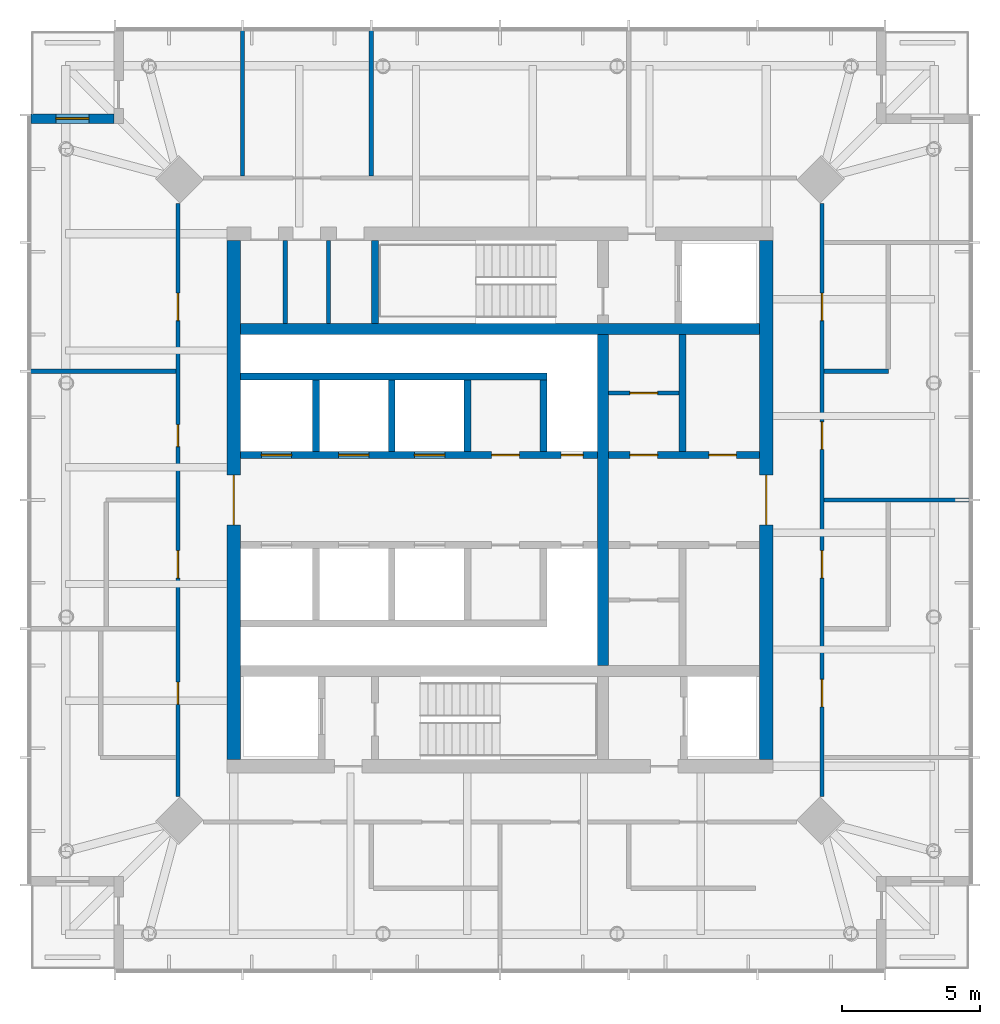
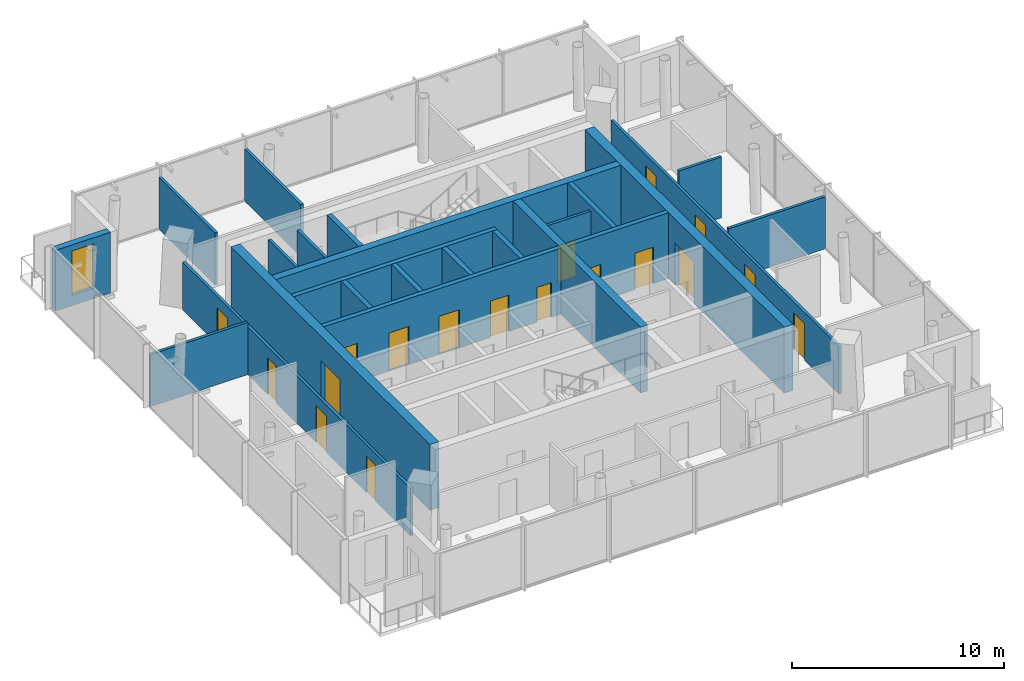
# One storey, part 5 of 7: 24 walls, 18 doors, 1 window, 19 openings.
"""IFC4 building model written with IfcOpenShell, lengths in metres."""

from ifc_helpers import new_model, si_unit, direction, frame, frame_2d, origin, place, context, subcontext, project, spatial, rectangle, extrude, material, layer, layer_set, type_object, element, fill, save


model = new_model("IFC4")

# Units and contexts
model_context = context("Model", 3, precision=1e-05, world=origin(), true_north=direction((0.0, 1.0)))
body_context = subcontext(model_context, "Body", "Model", "MODEL_VIEW")
ifc_project = project(units=[si_unit("LENGTHUNIT", "METRE"), si_unit("AREAUNIT", "SQUARE_METRE"), si_unit("VOLUMEUNIT", "CUBIC_METRE"), si_unit("PLANEANGLEUNIT", "RADIAN"), si_unit("MASSUNIT", "GRAM", prefix="KILO")], contexts=[model_context])

# Site, building, storey
site_placement = place(None, origin())
site = spatial("IfcSite", under=ifc_project, at=site_placement, CompositionType="ELEMENT")
building_placement = place(site_placement, origin())
building = spatial("IfcBuilding", under=site, at=building_placement, Name="Ostroluk Exchange", CompositionType="ELEMENT")
storey_placement = place(building_placement, frame((0.0, 0.0, 279.39990234375)))
storey = spatial("IfcBuildingStorey", under=building, at=storey_placement, Name="L72", CompositionType="ELEMENT", Elevation=279.39990234375)

# Walls
ifc_material_1 = material(Name="Concrete blockwork", Category="masonry")
ifc_layer_1 = layer(ifc_material_1, 0.14990234375)
ifc_layer_set_1 = layer_set([ifc_layer_1], Name="Blockwork plant room wall 150")
wall_type_1 = type_object("IfcWallType", Name="Blockwork plant room wall 150", PredefinedType="SOLIDWALL", material=ifc_layer_set_1)
for number, where, z_axis, x_axis, name in (
    (1, (37.215087890625, 52.39990234375, 0.0), (0.0, 0.0, 1.0), (0.0, 1.0, 0.0), "Core room wall"),
    (2, (38.782470703125, 52.39990234375, 0.0), (0.0, 0.0, 1.0), (0.0, 1.0, 0.0), "Core room wall"),
):
    element("IfcWall", number, at=place(storey_placement, frame(where, z_axis=z_axis, x_axis=x_axis)), inside=storey, type_object=wall_type_1, Name=name, PredefinedType="SOLIDWALL", context=body_context, shape_type="SweptSolid", body=[
        extrude(rectangle(XDim=3.0, YDim=0.14990234375, at=frame_2d((1.5, 0.0))), origin(), (0.0, 0.0, 1.0), 3.5),
    ])

# Wall, opening, door
wall_1_placement = place(storey_placement, frame((48.929931640625, 49.875, 0.0), z_axis=(0.0, 0.0, 1.0), x_axis=(1.0, 0.0, 0.0)))
wall_1 = element("IfcWall", 3, at=wall_1_placement, inside=storey, type_object=wall_type_1, Name="Core room wall", PredefinedType="SOLIDWALL", context=body_context, shape_type="SweptSolid", body=[
    extrude(rectangle(XDim=2.56005859375, YDim=0.14990234375, at=frame_2d((1.280029296875, 0.0))), origin(), (0.0, 0.0, 1.0), 3.5),
])
opening_1_placement = place(wall_1_placement, frame((0.780029296875, 0.0, 0.0)))
opening_1 = element("IfcOpeningElement", 4, at=opening_1_placement, cuts=wall_1, Name="Opening FD60", PredefinedType="OPENING", context=body_context, shape_type="SweptSolid", body=[
    extrude(rectangle(XDim=1.0, YDim=2.10009765625, at=frame_2d((0.5, 1.050048828125))), frame((0.0, 0.0849609375, 0.0), z_axis=(0.0, -1.0, 0.0), x_axis=(1.0, 0.0, 0.0)), (0.0, 0.0, 1.0), 0.169921875),
])
ifc_material_2 = material(Name="Steel", Category="steel")
door_type_1 = type_object("IfcDoorType", Name="Fire door EI 60 1000 x 2100", OperationType="SINGLE_SWING_LEFT", PredefinedType="DOOR", material=ifc_material_2)
door_1_placement = place(opening_1_placement, origin())
door_1 = element("IfcDoor", 5, at=door_1_placement, inside=storey, type_object=door_type_1, Name="Store door", OperationType="SINGLE_SWING_LEFT", OverallHeight=2.10009765625, OverallWidth=1.0, PredefinedType="DOOR", context=body_context, shape_type="SweptSolid", body=[
    extrude(rectangle(XDim=1.0, YDim=2.10009765625, at=frame_2d((0.5, 1.050048828125))), frame((0.0, 0.02490234375, 0.0), z_axis=(0.0, -1.0, 0.0), x_axis=(1.0, 0.0, 0.0)), (0.0, 0.0, 1.0), 0.050048828125),
])
fill(opening_1, door_1)

# Walls
ifc_material_3 = material(Name="Concrete C50/60", Category="concrete")
ifc_layer_2 = layer(ifc_material_3, 0.39990234375)
ifc_layer_set_2 = layer_set([ifc_layer_2], Name="Core cross wall 400 C50/60")
wall_type_2 = type_object("IfcWallType", Name="Core cross wall 400 C50/60", PredefinedType="SHEAR", material=ifc_layer_set_2)
wall_2_placement = place(storey_placement, frame((35.60009765625, 52.199951171875, 0.0), z_axis=(0.0, 0.0, 1.0), x_axis=(1.0, 0.0, 0.0)))
element("IfcWall", 6, at=wall_2_placement, inside=storey, type_object=wall_type_2, Name="T1 core wall XN", PredefinedType="SHEAR", context=body_context, shape_type="SweptSolid", body=[
    extrude(rectangle(XDim=18.7998046875, YDim=0.39990234375, at=frame_2d((9.39990234375, 0.0))), origin(), (0.0, 0.0, 1.0), 3.800048828125),
])
wall_3_placement = place(storey_placement, frame((48.72998046875, 40.0, 0.0), z_axis=(0.0, 0.0, 1.0), x_axis=(0.0, 1.0, 0.0)))
element("IfcWall", 7, at=wall_3_placement, inside=storey, type_object=wall_type_2, Name="T1 core wall YE2", PredefinedType="SHEAR", context=body_context, shape_type="SweptSolid", body=[
    extrude(rectangle(XDim=12.0, YDim=0.39990234375, at=frame_2d((6.0, 0.0))), origin(), (0.0, 0.0, 1.0), 3.800048828125),
])
ifc_material_4 = material(Name="Concrete C40/50", Category="concrete")
ifc_layer_3 = layer(ifc_material_4, 0.25)
ifc_layer_set_3 = layer_set([ifc_layer_3], Name="Core shaft wall 250")
wall_type_3 = type_object("IfcWallType", Name="Core shaft wall 250", PredefinedType="SHEAR", material=ifc_layer_set_3)
wall_4_placement = place(storey_placement, frame((40.47509765625, 52.39990234375, 0.0), z_axis=(0.0, 0.0, 1.0), x_axis=(0.0, 1.0, 0.0)))
element("IfcWall", 8, at=wall_4_placement, inside=storey, type_object=wall_type_3, Name="Stair shaft wall", PredefinedType="SHEAR", context=body_context, shape_type="SweptSolid", body=[
    extrude(rectangle(XDim=3.0, YDim=0.25, at=frame_2d((1.5, 0.0))), origin(), (0.0, 0.0, 1.0), 3.800048828125),
])
for number, where, z_axis, x_axis, name in (
    (9, (38.324951171875, 47.75, 0.0), (0.0, 0.0, 1.0), (0.0, 1.0, 0.0), "Lift shaft wall"),
    (10, (41.074951171875, 47.75, 0.0), (0.0, 0.0, 1.0), (0.0, 1.0, 0.0), "Lift shaft wall"),
    (11, (43.824951171875, 47.75, 0.0), (0.0, 0.0, 1.0), (0.0, 1.0, 0.0), "Lift shaft wall"),
    (12, (46.574951171875, 47.75, 0.0), (0.0, 0.0, 1.0), (0.0, 1.0, 0.0), "Lift shaft wall"),
):
    element("IfcWall", number, at=place(storey_placement, frame(where, z_axis=z_axis, x_axis=x_axis)), inside=storey, type_object=wall_type_3, Name=name, PredefinedType="SHEAR", context=body_context, shape_type="SweptSolid", body=[
        extrude(rectangle(XDim=2.60009765625, YDim=0.25, at=frame_2d((1.300048828125, 0.0))), origin(), (0.0, 0.0, 1.0), 3.800048828125),
    ])
wall_5_placement = place(storey_placement, frame((35.60009765625, 50.47509765625, 0.0), z_axis=(0.0, 0.0, 1.0), x_axis=(1.0, 0.0, 0.0)))
element("IfcWall", 13, at=wall_5_placement, inside=storey, type_object=wall_type_3, Name="Lift shaft wall", PredefinedType="SHEAR", context=body_context, shape_type="SweptSolid", body=[
    extrude(rectangle(XDim=11.099853515625, YDim=0.25, at=frame_2d((5.5498046875, 0.0))), origin(), (0.0, 0.0, 1.0), 3.800048828125),
])

# Wall, openings, doors
wall_6_placement = place(storey_placement, frame((35.60009765625, 47.625, 0.0), z_axis=(0.0, 0.0, 1.0), x_axis=(1.0, 0.0, 0.0)))
wall_6 = element("IfcWall", 14, at=wall_6_placement, inside=storey, type_object=wall_type_3, Name="Lift shaft front wall", PredefinedType="SHEAR", context=body_context, shape_type="SweptSolid", body=[
    extrude(rectangle(XDim=12.929931640625, YDim=0.25, at=frame_2d((6.46484375, 0.0))), origin(), (0.0, 0.0, 1.0), 3.800048828125),
])
opening_2_placement = place(wall_6_placement, frame((0.75, 0.0, 0.0)))
opening_2 = element("IfcOpeningElement", 15, at=opening_2_placement, cuts=wall_6, Name="Opening LD", PredefinedType="OPENING", context=body_context, shape_type="SweptSolid", body=[
    extrude(rectangle(XDim=1.10009765625, YDim=2.199951171875, at=frame_2d((0.550048828125, 1.10009765625))), frame((0.0, 0.135009765625, 0.0), z_axis=(0.0, -1.0, 0.0), x_axis=(1.0, 0.0, 0.0)), (0.0, 0.0, 1.0), 0.27001953125),
])
opening_3_placement = place(wall_6_placement, frame((3.550048828125, 0.0, 0.0)))
opening_3 = element("IfcOpeningElement", 16, at=opening_3_placement, cuts=wall_6, Name="Opening LD", PredefinedType="OPENING", context=body_context, shape_type="SweptSolid", body=[
    extrude(rectangle(XDim=1.10009765625, YDim=2.199951171875, at=frame_2d((0.550048828125, 1.10009765625))), frame((0.0, 0.135009765625, 0.0), z_axis=(0.0, -1.0, 0.0), x_axis=(1.0, 0.0, 0.0)), (0.0, 0.0, 1.0), 0.27001953125),
])
opening_4_placement = place(wall_6_placement, frame((6.300048828125, 0.0, 0.0)))
opening_4 = element("IfcOpeningElement", 17, at=opening_4_placement, cuts=wall_6, Name="Opening LD", PredefinedType="OPENING", context=body_context, shape_type="SweptSolid", body=[
    extrude(rectangle(XDim=1.10009765625, YDim=2.199951171875, at=frame_2d((0.550048828125, 1.10009765625))), frame((0.0, 0.135009765625, 0.0), z_axis=(0.0, -1.0, 0.0), x_axis=(1.0, 0.0, 0.0)), (0.0, 0.0, 1.0), 0.27001953125),
])
opening_5_placement = place(wall_6_placement, frame((9.10009765625, 0.0, 0.0)))
opening_5 = element("IfcOpeningElement", 18, at=opening_5_placement, cuts=wall_6, Name="Opening FD60", PredefinedType="OPENING", context=body_context, shape_type="SweptSolid", body=[
    extrude(rectangle(XDim=1.0, YDim=2.10009765625, at=frame_2d((0.5, 1.050048828125))), frame((0.0, 0.135009765625, 0.0), z_axis=(0.0, -1.0, 0.0), x_axis=(1.0, 0.0, 0.0)), (0.0, 0.0, 1.0), 0.27001953125),
])
opening_6_placement = place(wall_6_placement, frame((11.614990234375, 0.0, 0.0)))
opening_6 = element("IfcOpeningElement", 19, at=opening_6_placement, cuts=wall_6, Name="Opening RD60", PredefinedType="OPENING", context=body_context, shape_type="SweptSolid", body=[
    extrude(rectangle(XDim=0.800048828125, YDim=2.0, at=frame_2d((0.39990234375, 1.0))), frame((0.0, 0.135009765625, 0.0), z_axis=(0.0, -1.0, 0.0), x_axis=(1.0, 0.0, 0.0)), (0.0, 0.0, 1.0), 0.27001953125),
])
door_2_placement = place(opening_5_placement, origin())
door_2 = element("IfcDoor", 20, at=door_2_placement, inside=storey, type_object=door_type_1, Name="Core room door", OperationType="SINGLE_SWING_RIGHT", OverallHeight=2.10009765625, OverallWidth=1.0, PredefinedType="DOOR", context=body_context, shape_type="SweptSolid", body=[
    extrude(rectangle(XDim=1.0, YDim=2.10009765625, at=frame_2d((0.5, 1.050048828125))), frame((0.0, 0.02490234375, 0.0), z_axis=(0.0, -1.0, 0.0), x_axis=(1.0, 0.0, 0.0)), (0.0, 0.0, 1.0), 0.050048828125),
])
fill(opening_5, door_2)
ifc_material_5 = material(Name="Stainless steel", Category="steel")
door_type_2 = type_object("IfcDoorType", Name="Lift landing door E 60 1100 x 2200", OperationType="DOUBLE_DOOR_SLIDING", PredefinedType="DOOR", material=ifc_material_5)
door_3_placement = place(opening_2_placement, origin())
door_3 = element("IfcDoor", 21, at=door_3_placement, inside=storey, type_object=door_type_2, Name="Lift PL-T1 landing door", OperationType="DOUBLE_DOOR_SLIDING", OverallHeight=2.199951171875, OverallWidth=1.10009765625, PredefinedType="DOOR", context=body_context, shape_type="SweptSolid", body=[
    extrude(rectangle(XDim=1.10009765625, YDim=2.199951171875, at=frame_2d((0.550048828125, 1.10009765625))), frame((0.0, 0.02490234375, 0.0), z_axis=(0.0, -1.0, 0.0), x_axis=(1.0, 0.0, 0.0)), (0.0, 0.0, 1.0), 0.050048828125),
])
fill(opening_2, door_3)
door_4_placement = place(opening_3_placement, origin())
door_4 = element("IfcDoor", 22, at=door_4_placement, inside=storey, type_object=door_type_2, Name="Lift PL-T2 landing door", OperationType="DOUBLE_DOOR_SLIDING", OverallHeight=2.199951171875, OverallWidth=1.10009765625, PredefinedType="DOOR", context=body_context, shape_type="SweptSolid", body=[
    extrude(rectangle(XDim=1.10009765625, YDim=2.199951171875, at=frame_2d((0.550048828125, 1.10009765625))), frame((0.0, 0.02490234375, 0.0), z_axis=(0.0, -1.0, 0.0), x_axis=(1.0, 0.0, 0.0)), (0.0, 0.0, 1.0), 0.050048828125),
])
fill(opening_3, door_4)
door_5_placement = place(opening_4_placement, origin())
door_5 = element("IfcDoor", 23, at=door_5_placement, inside=storey, type_object=door_type_2, Name="Lift PL-T3 landing door", OperationType="DOUBLE_DOOR_SLIDING", OverallHeight=2.199951171875, OverallWidth=1.10009765625, PredefinedType="DOOR", context=body_context, shape_type="SweptSolid", body=[
    extrude(rectangle(XDim=1.10009765625, YDim=2.199951171875, at=frame_2d((0.550048828125, 1.10009765625))), frame((0.0, 0.02490234375, 0.0), z_axis=(0.0, -1.0, 0.0), x_axis=(1.0, 0.0, 0.0)), (0.0, 0.0, 1.0), 0.050048828125),
])
fill(opening_4, door_5)
ifc_material_6 = material(Name="Steel", Category="steel")
door_type_3 = type_object("IfcDoorType", Name="Riser access door EI 60 800 x 2000", OperationType="SINGLE_SWING_LEFT", PredefinedType="DOOR", material=ifc_material_6)
door_6_placement = place(opening_6_placement, origin())
door_6 = element("IfcDoor", 24, at=door_6_placement, inside=storey, type_object=door_type_3, Name="Riser access door", OperationType="SINGLE_SWING_RIGHT", OverallHeight=2.0, OverallWidth=0.800048828125, PredefinedType="DOOR", context=body_context, shape_type="SweptSolid", body=[
    extrude(rectangle(XDim=0.800048828125, YDim=2.0, at=frame_2d((0.39990234375, 1.0))), frame((0.0, 0.02490234375, 0.0), z_axis=(0.0, -1.0, 0.0), x_axis=(1.0, 0.0, 0.0)), (0.0, 0.0, 1.0), 0.050048828125),
])
fill(opening_6, door_6)

# Wall
wall_7_placement = place(storey_placement, frame((51.614990234375, 47.75, 0.0), z_axis=(0.0, 0.0, 1.0), x_axis=(0.0, 1.0, 0.0)))
element("IfcWall", 25, at=wall_7_placement, inside=storey, type_object=wall_type_3, Name="Lift shaft wall", PredefinedType="SHEAR", context=body_context, shape_type="SweptSolid", body=[
    extrude(rectangle(XDim=4.25, YDim=0.25, at=frame_2d((2.125, 0.0))), origin(), (0.0, 0.0, 1.0), 3.800048828125),
])

# Wall, openings, doors
wall_8_placement = place(storey_placement, frame((48.929931640625, 47.625, 0.0), z_axis=(0.0, 0.0, 1.0), x_axis=(1.0, 0.0, 0.0)))
wall_8 = element("IfcWall", 26, at=wall_8_placement, inside=storey, type_object=wall_type_3, Name="Lift shaft front wall", PredefinedType="SHEAR", context=body_context, shape_type="SweptSolid", body=[
    extrude(rectangle(XDim=5.469970703125, YDim=0.25, at=frame_2d((2.73486328125, 0.0))), origin(), (0.0, 0.0, 1.0), 3.800048828125),
])
opening_7_placement = place(wall_8_placement, frame((0.780029296875, 0.0, 0.0)))
opening_7 = element("IfcOpeningElement", 27, at=opening_7_placement, cuts=wall_8, Name="Opening FD60", PredefinedType="OPENING", context=body_context, shape_type="SweptSolid", body=[
    extrude(rectangle(XDim=1.0, YDim=2.10009765625, at=frame_2d((0.5, 1.050048828125))), frame((0.0, 0.135009765625, 0.0), z_axis=(0.0, -1.0, 0.0), x_axis=(1.0, 0.0, 0.0)), (0.0, 0.0, 1.0), 0.27001953125),
])
opening_8_placement = place(wall_8_placement, frame((3.639892578125, 0.0, 0.0)))
opening_8 = element("IfcOpeningElement", 28, at=opening_8_placement, cuts=wall_8, Name="Opening FD60", PredefinedType="OPENING", context=body_context, shape_type="SweptSolid", body=[
    extrude(rectangle(XDim=1.0, YDim=2.10009765625, at=frame_2d((0.5, 1.050048828125))), frame((0.0, 0.135009765625, 0.0), z_axis=(0.0, -1.0, 0.0), x_axis=(1.0, 0.0, 0.0)), (0.0, 0.0, 1.0), 0.27001953125),
])
door_7_placement = place(opening_7_placement, origin())
door_7 = element("IfcDoor", 29, at=door_7_placement, inside=storey, type_object=door_type_1, Name="Core room door", OperationType="SINGLE_SWING_LEFT", OverallHeight=2.10009765625, OverallWidth=1.0, PredefinedType="DOOR", context=body_context, shape_type="SweptSolid", body=[
    extrude(rectangle(XDim=1.0, YDim=2.10009765625, at=frame_2d((0.5, 1.050048828125))), frame((0.0, 0.02490234375, 0.0), z_axis=(0.0, -1.0, 0.0), x_axis=(1.0, 0.0, 0.0)), (0.0, 0.0, 1.0), 0.050048828125),
])
fill(opening_7, door_7)
door_8_placement = place(opening_8_placement, origin())
door_8 = element("IfcDoor", 30, at=door_8_placement, inside=storey, type_object=door_type_1, Name="Core room door", OperationType="SINGLE_SWING_RIGHT", OverallHeight=2.10009765625, OverallWidth=1.0, PredefinedType="DOOR", context=body_context, shape_type="SweptSolid", body=[
    extrude(rectangle(XDim=1.0, YDim=2.10009765625, at=frame_2d((0.5, 1.050048828125))), frame((0.0, 0.02490234375, 0.0), z_axis=(0.0, -1.0, 0.0), x_axis=(1.0, 0.0, 0.0)), (0.0, 0.0, 1.0), 0.050048828125),
])
fill(opening_8, door_8)

# Wall, opening, door
ifc_material_7 = material(Name="Concrete C50/60", Category="concrete")
ifc_layer_4 = layer(ifc_material_7, 0.5)
ifc_layer_set_4 = layer_set([ifc_layer_4], Name="Core wall 500 C50/60")
wall_type_4 = type_object("IfcWallType", Name="Core wall 500 C50/60", PredefinedType="SHEAR", material=ifc_layer_set_4)
wall_9_placement = place(storey_placement, frame((35.35009765625, 36.60009765625, 0.0), z_axis=(0.0, 0.0, 1.0), x_axis=(0.0, 1.0, 0.0)))
wall_9 = element("IfcWall", 31, at=wall_9_placement, inside=storey, type_object=wall_type_4, Name="T1 core wall W", PredefinedType="SHEAR", context=body_context, shape_type="SweptSolid", body=[
    extrude(rectangle(XDim=18.7998046875, YDim=0.5, at=frame_2d((9.39990234375, 0.0))), origin(), (0.0, 0.0, 1.0), 3.800048828125),
])
opening_9_placement = place(wall_9_placement, frame((8.5, 0.0, 0.0)))
opening_9 = element("IfcOpeningElement", 32, at=opening_9_placement, cuts=wall_9, Name="Opening FD30D", PredefinedType="OPENING", context=body_context, shape_type="SweptSolid", body=[
    extrude(rectangle(XDim=1.800048828125, YDim=2.39990234375, at=frame_2d((0.89990234375, 1.199951171875))), frame((0.0, 0.260009765625, 0.0), z_axis=(0.0, -1.0, 0.0), x_axis=(1.0, 0.0, 0.0)), (0.0, 0.0, 1.0), 0.52001953125),
])
ifc_material_8 = material(Name="Timber", Category="wood")
door_type_4 = type_object("IfcDoorType", Name="Lobby double door EI 30 1800 x 2400", OperationType="DOUBLE_DOOR_SINGLE_SWING", PredefinedType="DOOR", material=ifc_material_8)
door_9_placement = place(opening_9_placement, origin())
door_9 = element("IfcDoor", 33, at=door_9_placement, inside=storey, type_object=door_type_4, Name="Lift lobby doors", OperationType="DOUBLE_DOOR_SINGLE_SWING", OverallHeight=2.39990234375, OverallWidth=1.800048828125, PredefinedType="DOOR", context=body_context, shape_type="SweptSolid", body=[
    extrude(rectangle(XDim=1.800048828125, YDim=2.39990234375, at=frame_2d((0.89990234375, 1.199951171875))), frame((0.0, 0.02490234375, 0.0), z_axis=(0.0, -1.0, 0.0), x_axis=(1.0, 0.0, 0.0)), (0.0, 0.0, 1.0), 0.050048828125),
])
fill(opening_9, door_9)

wall_10_placement = place(storey_placement, frame((54.64990234375, 36.60009765625, 0.0), z_axis=(0.0, 0.0, 1.0), x_axis=(0.0, 1.0, 0.0)))
wall_10 = element("IfcWall", 34, at=wall_10_placement, inside=storey, type_object=wall_type_4, Name="T1 core wall E", PredefinedType="SHEAR", context=body_context, shape_type="SweptSolid", body=[
    extrude(rectangle(XDim=18.7998046875, YDim=0.5, at=frame_2d((9.39990234375, 0.0))), origin(), (0.0, 0.0, 1.0), 3.800048828125),
])
opening_10_placement = place(wall_10_placement, frame((8.5, 0.0, 0.0)))
opening_10 = element("IfcOpeningElement", 35, at=opening_10_placement, cuts=wall_10, Name="Opening FD30D", PredefinedType="OPENING", context=body_context, shape_type="SweptSolid", body=[
    extrude(rectangle(XDim=1.800048828125, YDim=2.39990234375, at=frame_2d((0.89990234375, 1.199951171875))), frame((0.0, 0.260009765625, 0.0), z_axis=(0.0, -1.0, 0.0), x_axis=(1.0, 0.0, 0.0)), (0.0, 0.0, 1.0), 0.52001953125),
])
door_10_placement = place(opening_10_placement, origin())
door_10 = element("IfcDoor", 36, at=door_10_placement, inside=storey, type_object=door_type_4, Name="Lift lobby doors", OperationType="DOUBLE_DOOR_SINGLE_SWING", OverallHeight=2.39990234375, OverallWidth=1.800048828125, PredefinedType="DOOR", context=body_context, shape_type="SweptSolid", body=[
    extrude(rectangle(XDim=1.800048828125, YDim=2.39990234375, at=frame_2d((0.89990234375, 1.199951171875))), frame((0.0, 0.02490234375, 0.0), z_axis=(0.0, -1.0, 0.0), x_axis=(1.0, 0.0, 0.0)), (0.0, 0.0, 1.0), 0.050048828125),
])
fill(opening_10, door_10)

# Wall, opening, window
ifc_material_9 = material(Name="Limestone", Category="masonry")
ifc_layer_5 = layer(ifc_material_9, 0.35009765625)
ifc_layer_set_5 = layer_set([ifc_layer_5], Name="Limestone facade wall 350")
wall_type_5 = type_object("IfcWallType", Name="Limestone facade wall 350", PredefinedType="SOLIDWALL", material=ifc_layer_set_5)
wall_11_placement = place(storey_placement, frame((31.0, 59.824951171875, 0.0), z_axis=(0.0, 0.0, 1.0), x_axis=(-1.0, 0.0, 0.0)))
wall_11 = element("IfcWall", 37, at=wall_11_placement, inside=storey, type_object=wall_type_5, Name="Office tower NW corner wall L72 b", PredefinedType="SOLIDWALL", context=body_context, shape_type="SweptSolid", body=[
    extrude(rectangle(XDim=3.0, YDim=0.35009765625, at=frame_2d((1.5, 0.0))), origin(), (0.0, 0.0, 1.0), 3.5),
])
opening_11_placement = place(wall_11_placement, frame((0.89990234375, 0.0, 0.60009765625)))
opening_11 = element("IfcOpeningElement", 38, at=opening_11_placement, cuts=wall_11, Name="Opening WN-L1", PredefinedType="OPENING", context=body_context, shape_type="SweptSolid", body=[
    extrude(rectangle(XDim=1.199951171875, YDim=2.550048828125, at=frame_2d((0.60009765625, 1.27490234375))), frame((0.0, 0.18505859375, 0.0), z_axis=(0.0, -1.0, 0.0), x_axis=(1.0, 0.0, 0.0)), (0.0, 0.0, 1.0), 0.3701171875),
])
ifc_material_10 = material(Name="Laminated clear glass", Category="glass")
window_type = type_object("IfcWindowType", Name="Lancet window 1200 x 2550", PartitioningType="SINGLE_PANEL", PredefinedType="WINDOW", material=ifc_material_10)
window_placement = place(opening_11_placement, origin())
window = element("IfcWindow", 39, at=window_placement, inside=storey, type_object=window_type, Name="Office tower NW lancet window L72", OverallHeight=2.550048828125, OverallWidth=1.199951171875, PartitioningType="SINGLE_PANEL", PredefinedType="WINDOW", context=body_context, shape_type="SweptSolid", body=[
    extrude(rectangle(XDim=1.199951171875, YDim=2.550048828125, at=frame_2d((0.60009765625, 1.27490234375))), frame((0.0, 0.030029296875, 0.0), z_axis=(0.0, -1.0, 0.0), x_axis=(1.0, 0.0, 0.0)), (0.0, 0.0, 1.0), 0.06005859375),
])
fill(opening_11, window)

# Wall, openings, doors
ifc_material_11 = material(Name="Gypsum plasterboard partition", Category="gypsum")
ifc_layer_6 = layer(ifc_material_11, 0.14990234375)
ifc_layer_set_6 = layer_set([ifc_layer_6], Name="Plasterboard partition 150")
wall_type_6 = type_object("IfcWallType", Name="Plasterboard partition 150", PredefinedType="PARTITIONING", material=ifc_layer_set_6)
wall_12_placement = place(storey_placement, frame((56.675048828125, 35.24853515625, 0.0), z_axis=(0.0, 0.0, 1.0), x_axis=(0.0, 1.0, 0.0)))
wall_12 = element("IfcWall", 40, at=wall_12_placement, inside=storey, type_object=wall_type_6, Name="Partition", PredefinedType="PARTITIONING", context=body_context, shape_type="SweptSolid", body=[
    extrude(rectangle(XDim=21.5029296875, YDim=0.14990234375, at=frame_2d((10.75146484375, 0.0))), origin(), (0.0, 0.0, 1.0), 2.7470703125),
])
opening_12_placement = place(wall_12_placement, frame((3.25146484375, 0.0, 0.0)))
opening_12 = element("IfcOpeningElement", 41, at=opening_12_placement, cuts=wall_12, Name="Opening D-03", PredefinedType="OPENING", context=body_context, shape_type="SweptSolid", body=[
    extrude(rectangle(XDim=1.0, YDim=2.10009765625, at=frame_2d((0.5, 1.050048828125))), frame((0.0, 0.0849609375, 0.0), z_axis=(0.0, -1.0, 0.0), x_axis=(1.0, 0.0, 0.0)), (0.0, 0.0, 1.0), 0.169921875),
])
opening_13_placement = place(wall_12_placement, frame((7.918212890625, 0.0, 0.0)))
opening_13 = element("IfcOpeningElement", 42, at=opening_13_placement, cuts=wall_12, Name="Opening D-03", PredefinedType="OPENING", context=body_context, shape_type="SweptSolid", body=[
    extrude(rectangle(XDim=1.0, YDim=2.10009765625, at=frame_2d((0.5, 1.050048828125))), frame((0.0, 0.0849609375, 0.0), z_axis=(0.0, -1.0, 0.0), x_axis=(1.0, 0.0, 0.0)), (0.0, 0.0, 1.0), 0.169921875),
])
opening_14_placement = place(wall_12_placement, frame((12.584716796875, 0.0, 0.0)))
opening_14 = element("IfcOpeningElement", 43, at=opening_14_placement, cuts=wall_12, Name="Opening D-03", PredefinedType="OPENING", context=body_context, shape_type="SweptSolid", body=[
    extrude(rectangle(XDim=1.0, YDim=2.10009765625, at=frame_2d((0.5, 1.050048828125))), frame((0.0, 0.0849609375, 0.0), z_axis=(0.0, -1.0, 0.0), x_axis=(1.0, 0.0, 0.0)), (0.0, 0.0, 1.0), 0.169921875),
])
opening_15_placement = place(wall_12_placement, frame((17.25146484375, 0.0, 0.0)))
opening_15 = element("IfcOpeningElement", 44, at=opening_15_placement, cuts=wall_12, Name="Opening D-03", PredefinedType="OPENING", context=body_context, shape_type="SweptSolid", body=[
    extrude(rectangle(XDim=1.0, YDim=2.10009765625, at=frame_2d((0.5, 1.050048828125))), frame((0.0, 0.0849609375, 0.0), z_axis=(0.0, -1.0, 0.0), x_axis=(1.0, 0.0, 0.0)), (0.0, 0.0, 1.0), 0.169921875),
])
ifc_material_12 = material(Name="Timber", Category="wood")
door_type_5 = type_object("IfcDoorType", Name="Internal door 1000 x 2100", OperationType="SINGLE_SWING_LEFT", PredefinedType="DOOR", material=ifc_material_12)
door_11_placement = place(opening_12_placement, origin())
door_11 = element("IfcDoor", 45, at=door_11_placement, inside=storey, type_object=door_type_5, Name="Office door", OperationType="SINGLE_SWING_LEFT", OverallHeight=2.10009765625, OverallWidth=1.0, PredefinedType="DOOR", context=body_context, shape_type="SweptSolid", body=[
    extrude(rectangle(XDim=1.0, YDim=2.10009765625, at=frame_2d((0.5, 1.050048828125))), frame((0.0, 0.02490234375, 0.0), z_axis=(0.0, -1.0, 0.0), x_axis=(1.0, 0.0, 0.0)), (0.0, 0.0, 1.0), 0.050048828125),
])
fill(opening_12, door_11)
door_12_placement = place(opening_13_placement, origin())
door_12 = element("IfcDoor", 46, at=door_12_placement, inside=storey, type_object=door_type_5, Name="Print and store room door", OperationType="SINGLE_SWING_LEFT", OverallHeight=2.10009765625, OverallWidth=1.0, PredefinedType="DOOR", context=body_context, shape_type="SweptSolid", body=[
    extrude(rectangle(XDim=1.0, YDim=2.10009765625, at=frame_2d((0.5, 1.050048828125))), frame((0.0, 0.02490234375, 0.0), z_axis=(0.0, -1.0, 0.0), x_axis=(1.0, 0.0, 0.0)), (0.0, 0.0, 1.0), 0.050048828125),
])
fill(opening_13, door_12)
door_13_placement = place(opening_14_placement, origin())
door_13 = element("IfcDoor", 47, at=door_13_placement, inside=storey, type_object=door_type_5, Name="Office door", OperationType="SINGLE_SWING_RIGHT", OverallHeight=2.10009765625, OverallWidth=1.0, PredefinedType="DOOR", context=body_context, shape_type="SweptSolid", body=[
    extrude(rectangle(XDim=1.0, YDim=2.10009765625, at=frame_2d((0.5, 1.050048828125))), frame((0.0, 0.02490234375, 0.0), z_axis=(0.0, -1.0, 0.0), x_axis=(1.0, 0.0, 0.0)), (0.0, 0.0, 1.0), 0.050048828125),
])
fill(opening_14, door_13)
door_14_placement = place(opening_15_placement, origin())
door_14 = element("IfcDoor", 48, at=door_14_placement, inside=storey, type_object=door_type_5, Name="Print and store room door", OperationType="SINGLE_SWING_RIGHT", OverallHeight=2.10009765625, OverallWidth=1.0, PredefinedType="DOOR", context=body_context, shape_type="SweptSolid", body=[
    extrude(rectangle(XDim=1.0, YDim=2.10009765625, at=frame_2d((0.5, 1.050048828125))), frame((0.0, 0.02490234375, 0.0), z_axis=(0.0, -1.0, 0.0), x_axis=(1.0, 0.0, 0.0)), (0.0, 0.0, 1.0), 0.050048828125),
])
fill(opening_15, door_14)

# Walls
wall_13_placement = place(storey_placement, frame((56.75, 46.0, 0.0), z_axis=(0.0, 0.0, 1.0), x_axis=(1.0, 0.0, 0.0)))
element("IfcWall", 49, at=wall_13_placement, inside=storey, type_object=wall_type_6, Name="Partition", PredefinedType="PARTITIONING", context=body_context, shape_type="SweptSolid", body=[
    extrude(rectangle(XDim=5.2900390625, YDim=0.14990234375, at=frame_2d((2.64501953125, 0.0))), origin(), (0.0, 0.0, 1.0), 3.0),
])
wall_14_placement = place(storey_placement, frame((56.75, 50.666748046875, 0.0), z_axis=(0.0, 0.0, 1.0), x_axis=(1.0, 0.0, 0.0)))
element("IfcWall", 50, at=wall_14_placement, inside=storey, type_object=wall_type_6, Name="Partition", PredefinedType="PARTITIONING", context=body_context, shape_type="SweptSolid", body=[
    extrude(rectangle(XDim=2.324951171875, YDim=0.14990234375, at=frame_2d((1.16259765625, 0.0))), origin(), (0.0, 0.0, 1.0), 3.5),
])
for number, where, z_axis, x_axis, name in (
    (51, (40.333251953125, 57.75, 0.0), (0.0, 0.0, 1.0), (0.0, 1.0, 0.0), "Partition"),
    (52, (35.666748046875, 57.75, 0.0), (0.0, 0.0, 1.0), (0.0, 1.0, 0.0), "Partition"),
):
    element("IfcWall", number, at=place(storey_placement, frame(where, z_axis=z_axis, x_axis=x_axis)), inside=storey, type_object=wall_type_6, Name=name, PredefinedType="PARTITIONING", context=body_context, shape_type="SweptSolid", body=[
        extrude(rectangle(XDim=5.2900390625, YDim=0.14990234375, at=frame_2d((2.64501953125, 0.0))), origin(), (0.0, 0.0, 1.0), 3.0),
    ])

# Wall, openings, doors
wall_15_placement = place(storey_placement, frame((33.324951171875, 56.75146484375, 0.0), z_axis=(0.0, 0.0, 1.0), x_axis=(0.0, -1.0, 0.0)))
wall_15 = element("IfcWall", 53, at=wall_15_placement, inside=storey, type_object=wall_type_6, Name="Partition", PredefinedType="PARTITIONING", context=body_context, shape_type="SweptSolid", body=[
    extrude(rectangle(XDim=21.5029296875, YDim=0.14990234375, at=frame_2d((10.75146484375, 0.0))), origin(), (0.0, 0.0, 1.0), 2.7470703125),
])
opening_16_placement = place(wall_15_placement, frame((3.25146484375, 0.0, 0.0)))
opening_16 = element("IfcOpeningElement", 54, at=opening_16_placement, cuts=wall_15, Name="Opening D-03", PredefinedType="OPENING", context=body_context, shape_type="SweptSolid", body=[
    extrude(rectangle(XDim=1.0, YDim=2.10009765625, at=frame_2d((0.5, 1.050048828125))), frame((0.0, 0.0849609375, 0.0), z_axis=(0.0, -1.0, 0.0), x_axis=(1.0, 0.0, 0.0)), (0.0, 0.0, 1.0), 0.169921875),
])
opening_17_placement = place(wall_15_placement, frame((8.01806640625, 0.0, 0.0)))
opening_17 = element("IfcOpeningElement", 55, at=opening_17_placement, cuts=wall_15, Name="Opening D-06", PredefinedType="OPENING", context=body_context, shape_type="SweptSolid", body=[
    extrude(rectangle(XDim=0.800048828125, YDim=2.10009765625, at=frame_2d((0.39990234375, 1.050048828125))), frame((0.0, 0.0849609375, 0.0), z_axis=(0.0, -1.0, 0.0), x_axis=(1.0, 0.0, 0.0)), (0.0, 0.0, 1.0), 0.169921875),
])
opening_18_placement = place(wall_15_placement, frame((12.584716796875, 0.0, 0.0)))
opening_18 = element("IfcOpeningElement", 56, at=opening_18_placement, cuts=wall_15, Name="Opening D-03", PredefinedType="OPENING", context=body_context, shape_type="SweptSolid", body=[
    extrude(rectangle(XDim=1.0, YDim=2.10009765625, at=frame_2d((0.5, 1.050048828125))), frame((0.0, 0.0849609375, 0.0), z_axis=(0.0, -1.0, 0.0), x_axis=(1.0, 0.0, 0.0)), (0.0, 0.0, 1.0), 0.169921875),
])
opening_19_placement = place(wall_15_placement, frame((17.3515625, 0.0, 0.0)))
opening_19 = element("IfcOpeningElement", 57, at=opening_19_placement, cuts=wall_15, Name="Opening D-06", PredefinedType="OPENING", context=body_context, shape_type="SweptSolid", body=[
    extrude(rectangle(XDim=0.800048828125, YDim=2.10009765625, at=frame_2d((0.39990234375, 1.050048828125))), frame((0.0, 0.0849609375, 0.0), z_axis=(0.0, -1.0, 0.0), x_axis=(1.0, 0.0, 0.0)), (0.0, 0.0, 1.0), 0.169921875),
])
door_15_placement = place(opening_16_placement, origin())
door_15 = element("IfcDoor", 58, at=door_15_placement, inside=storey, type_object=door_type_5, Name="Corner office door", OperationType="SINGLE_SWING_LEFT", OverallHeight=2.10009765625, OverallWidth=1.0, PredefinedType="DOOR", context=body_context, shape_type="SweptSolid", body=[
    extrude(rectangle(XDim=1.0, YDim=2.10009765625, at=frame_2d((0.5, 1.050048828125))), frame((0.0, 0.02490234375, 0.0), z_axis=(0.0, -1.0, 0.0), x_axis=(1.0, 0.0, 0.0)), (0.0, 0.0, 1.0), 0.050048828125),
])
fill(opening_16, door_15)
door_16_placement = place(opening_18_placement, origin())
door_16 = element("IfcDoor", 59, at=door_16_placement, inside=storey, type_object=door_type_5, Name="Accessible WC door", OperationType="SINGLE_SWING_RIGHT", OverallHeight=2.10009765625, OverallWidth=1.0, PredefinedType="DOOR", context=body_context, shape_type="SweptSolid", body=[
    extrude(rectangle(XDim=1.0, YDim=2.10009765625, at=frame_2d((0.5, 1.050048828125))), frame((0.0, 0.02490234375, 0.0), z_axis=(0.0, -1.0, 0.0), x_axis=(1.0, 0.0, 0.0)), (0.0, 0.0, 1.0), 0.050048828125),
])
fill(opening_18, door_16)
ifc_material_13 = material(Name="Timber", Category="wood")
door_type_6 = type_object("IfcDoorType", Name="Toilet door 800 x 2100", OperationType="SINGLE_SWING_LEFT", PredefinedType="DOOR", material=ifc_material_13)
door_17_placement = place(opening_17_placement, origin())
door_17 = element("IfcDoor", 60, at=door_17_placement, inside=storey, type_object=door_type_6, Name="WC female door", OperationType="SINGLE_SWING_LEFT", OverallHeight=2.10009765625, OverallWidth=0.800048828125, PredefinedType="DOOR", context=body_context, shape_type="SweptSolid", body=[
    extrude(rectangle(XDim=0.800048828125, YDim=2.10009765625, at=frame_2d((0.39990234375, 1.050048828125))), frame((0.0, 0.02490234375, 0.0), z_axis=(0.0, -1.0, 0.0), x_axis=(1.0, 0.0, 0.0)), (0.0, 0.0, 1.0), 0.050048828125),
])
fill(opening_17, door_17)
door_18_placement = place(opening_19_placement, origin())
door_18 = element("IfcDoor", 61, at=door_18_placement, inside=storey, type_object=door_type_6, Name="WC male door", OperationType="SINGLE_SWING_RIGHT", OverallHeight=2.10009765625, OverallWidth=0.800048828125, PredefinedType="DOOR", context=body_context, shape_type="SweptSolid", body=[
    extrude(rectangle(XDim=0.800048828125, YDim=2.10009765625, at=frame_2d((0.39990234375, 1.050048828125))), frame((0.0, 0.02490234375, 0.0), z_axis=(0.0, -1.0, 0.0), x_axis=(1.0, 0.0, 0.0)), (0.0, 0.0, 1.0), 0.050048828125),
])
fill(opening_19, door_18)

# Wall
wall_16_placement = place(storey_placement, frame((33.25, 50.666748046875, 0.0), z_axis=(0.0, 0.0, 1.0), x_axis=(-1.0, 0.0, 0.0)))
element("IfcWall", 62, at=wall_16_placement, inside=storey, type_object=wall_type_6, Name="Partition", PredefinedType="PARTITIONING", context=body_context, shape_type="SweptSolid", body=[
    extrude(rectangle(XDim=5.2900390625, YDim=0.14990234375, at=frame_2d((2.64501953125, 0.0))), origin(), (0.0, 0.0, 1.0), 3.0),
])

save(model, "model.ifc")
